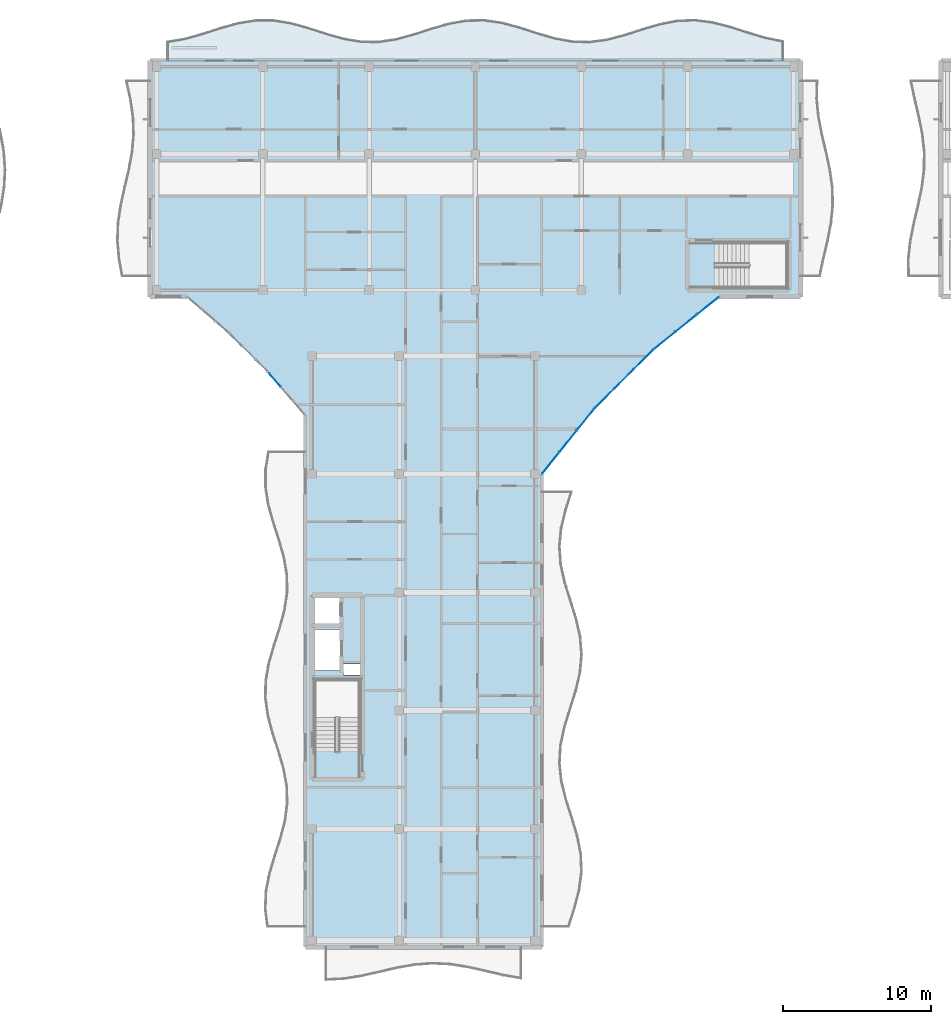
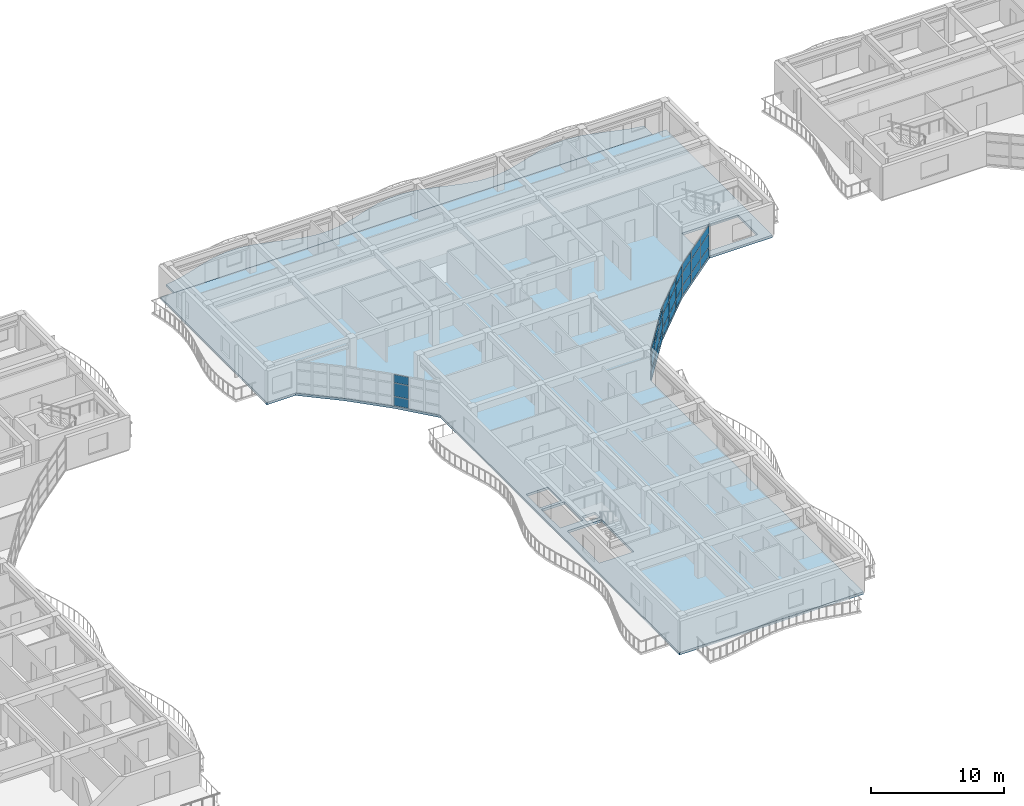
# One storey, part 27 of 71: 30 plates, 2 slabs, 4 elements without a shape of their own.
"""IFC4 building model written with IfcOpenShell, lengths in metres."""

from ifc_helpers import new_model, si_unit, direction, frame, origin, origin_2d, place, context, subcontext, project, spatial, polyline, rectangle, outline, extrude, material, layer, layer_set, type_object, element, aggregate, save


model = new_model("IFC4")

# Units and contexts
model_context = context("Model", 3, precision=1e-05, world=origin(), true_north=direction((0.0, 1.0)))
body_context = subcontext(model_context, "Body", "Model", "MODEL_VIEW")
ifc_project = project(units=[si_unit("LENGTHUNIT", "METRE"), si_unit("AREAUNIT", "SQUARE_METRE"), si_unit("VOLUMEUNIT", "CUBIC_METRE"), si_unit("PLANEANGLEUNIT", "RADIAN"), si_unit("MASSUNIT", "GRAM", prefix="KILO")], contexts=[model_context])

# Site, building, storey
site_placement = place(None, origin())
site = spatial("IfcSite", under=ifc_project, at=site_placement, CompositionType="ELEMENT")
building_placement = place(site_placement, origin())
building = spatial("IfcBuilding", under=site, at=building_placement, Name="Keldmere Railside Commons", CompositionType="ELEMENT")
storey_placement = place(building_placement, frame((0.0, 0.0, 20.159912109375)))
storey = spatial("IfcBuildingStorey", under=building, at=storey_placement, Name="L06", CompositionType="ELEMENT", Elevation=20.159912109375)

# Curtain wall, plates
ifc_material_1 = material(Name="Thermally Broken Aluminium", Category="aluminium")
ifc_layer_1 = layer(ifc_material_1, 0.159912109375, Name="Court Chord Wintergarden CW 4800x2850")
ifc_layer_set_1 = layer_set([ifc_layer_1], Name="Thermally Broken Aluminium")
curtain_wall_type_1 = type_object("IfcCurtainWallType", Name="Court Chord Wintergarden CW 4800x2850", PredefinedType="NOTDEFINED", material=ifc_layer_set_1)
curtain_wall_1_placement = place(storey_placement, origin())
curtain_wall_1 = element("IfcCurtainWall", 1, at=curtain_wall_1_placement, inside=storey, type_object=curtain_wall_type_1, Name="CW-12 CW-L06-121", PredefinedType="NOTDEFINED")
ifc_material_2 = material(Name="Low-E Insulated Double Glazing", Category="glass")
ifc_layer_2 = layer(ifc_material_2, 0.033935546875, Name="Acoustic Laminated Vision Panel 34")
ifc_layer_set_2 = layer_set([ifc_layer_2], Name="Low-E Insulated Double Glazing")
plate_type_1 = type_object("IfcPlateType", Name="Acoustic Laminated Vision Panel 34", PredefinedType="CURTAIN_PANEL", material=ifc_layer_set_2)
plate_1_placement = place(storey_placement, frame((122.951416015625, 91.678955078125, 0.06494140625), z_axis=(0.0, 0.0, 1.0), x_axis=(-0.625768080915, -0.780009172323, 0.0)))
plate_1 = element("IfcPlate", 2, at=plate_1_placement, type_object=plate_type_1, Name="CW-12 panel 1.1", PredefinedType="CURTAIN_PANEL", context=body_context, shape_type="SweptSolid", body=[
    extrude(rectangle(XDim=1.795654296875, YDim=0.033935546875, at=origin_2d()), origin(), (0.0, 0.0, 1.0), 0.802490234375),
])
plate_2_placement = place(storey_placement, frame((122.951416015625, 91.678955078125, 0.9326171875), z_axis=(0.0, 0.0, 1.0), x_axis=(-0.625768080915, -0.780009172323, 0.0)))
plate_2 = element("IfcPlate", 3, at=plate_2_placement, type_object=plate_type_1, Name="CW-12 panel 1.2", PredefinedType="CURTAIN_PANEL", context=body_context, shape_type="SweptSolid", body=[
    extrude(rectangle(XDim=1.795654296875, YDim=0.033935546875, at=origin_2d()), origin(), (0.0, 0.0, 1.0), 1.18505859375),
])
plate_3_placement = place(storey_placement, frame((122.951416015625, 91.678955078125, 2.1826171875), z_axis=(0.0, 0.0, 1.0), x_axis=(-0.625768080915, -0.780009172323, 0.0)))
plate_3 = element("IfcPlate", 4, at=plate_3_placement, type_object=plate_type_1, Name="CW-12 panel 1.3", PredefinedType="CURTAIN_PANEL", context=body_context, shape_type="SweptSolid", body=[
    extrude(rectangle(XDim=1.795654296875, YDim=0.033935546875, at=origin_2d()), origin(), (0.0, 0.0, 1.0), 0.732421875),
])
plate_4_placement = place(storey_placement, frame((121.777099609375, 90.215087890625, 0.06494140625), z_axis=(0.0, 0.0, 1.0), x_axis=(-0.625768080915, -0.780009172323, 0.0)))
plate_4 = element("IfcPlate", 5, at=plate_4_placement, type_object=plate_type_1, Name="CW-12 panel 2.1", PredefinedType="CURTAIN_PANEL", context=body_context, shape_type="SweptSolid", body=[
    extrude(rectangle(XDim=1.828125, YDim=0.033935546875, at=origin_2d()), origin(), (0.0, 0.0, 1.0), 0.802490234375),
])
plate_5_placement = place(storey_placement, frame((121.777099609375, 90.215087890625, 0.9326171875), z_axis=(0.0, 0.0, 1.0), x_axis=(-0.625768080915, -0.780009172323, 0.0)))
plate_5 = element("IfcPlate", 6, at=plate_5_placement, type_object=plate_type_1, Name="CW-12 panel 2.2", PredefinedType="CURTAIN_PANEL", context=body_context, shape_type="SweptSolid", body=[
    extrude(rectangle(XDim=1.828125, YDim=0.033935546875, at=origin_2d()), origin(), (0.0, 0.0, 1.0), 1.18505859375),
])
plate_6_placement = place(storey_placement, frame((121.777099609375, 90.215087890625, 2.1826171875), z_axis=(0.0, 0.0, 1.0), x_axis=(-0.625768080915, -0.780009172323, 0.0)))
plate_6 = element("IfcPlate", 7, at=plate_6_placement, type_object=plate_type_1, Name="CW-12 panel 2.3", PredefinedType="CURTAIN_PANEL", context=body_context, shape_type="SweptSolid", body=[
    extrude(rectangle(XDim=1.828125, YDim=0.033935546875, at=origin_2d()), origin(), (0.0, 0.0, 1.0), 0.732421875),
])
plate_7_placement = place(storey_placement, frame((120.6025390625, 88.7509765625, 0.06494140625), z_axis=(0.0, 0.0, 1.0), x_axis=(-0.625768080915, -0.780009172323, 0.0)))
plate_7 = element("IfcPlate", 8, at=plate_7_placement, type_object=plate_type_1, Name="CW-12 panel 3.1", PredefinedType="CURTAIN_PANEL", context=body_context, shape_type="SweptSolid", body=[
    extrude(rectangle(XDim=1.795654296875, YDim=0.033935546875, at=origin_2d()), origin(), (0.0, 0.0, 1.0), 0.802490234375),
])
plate_8_placement = place(storey_placement, frame((120.6025390625, 88.7509765625, 0.9326171875), z_axis=(0.0, 0.0, 1.0), x_axis=(-0.625768080915, -0.780009172323, 0.0)))
plate_8 = element("IfcPlate", 9, at=plate_8_placement, type_object=plate_type_1, Name="CW-12 panel 3.2", PredefinedType="CURTAIN_PANEL", context=body_context, shape_type="SweptSolid", body=[
    extrude(rectangle(XDim=1.795654296875, YDim=0.033935546875, at=origin_2d()), origin(), (0.0, 0.0, 1.0), 1.18505859375),
])
plate_9_placement = place(storey_placement, frame((120.6025390625, 88.7509765625, 2.1826171875), z_axis=(0.0, 0.0, 1.0), x_axis=(-0.625768080915, -0.780009172323, 0.0)))
plate_9 = element("IfcPlate", 10, at=plate_9_placement, type_object=plate_type_1, Name="CW-12 panel 3.3", PredefinedType="CURTAIN_PANEL", context=body_context, shape_type="SweptSolid", body=[
    extrude(rectangle(XDim=1.795654296875, YDim=0.033935546875, at=origin_2d()), origin(), (0.0, 0.0, 1.0), 0.732421875),
])
aggregate(curtain_wall_1, [plate_1, plate_2, plate_3, plate_4, plate_5, plate_6, plate_7, plate_8, plate_9])

ifc_layer_3 = layer(ifc_material_1, 0.159912109375, Name="Court Chord Wintergarden CW 5400x2850")
ifc_layer_set_3 = layer_set([ifc_layer_3], Name="Thermally Broken Aluminium")
curtain_wall_type_2 = type_object("IfcCurtainWallType", Name="Court Chord Wintergarden CW 5400x2850", PredefinedType="NOTDEFINED", material=ifc_layer_set_3)
curtain_wall_2_placement = place(storey_placement, origin())
curtain_wall_2 = element("IfcCurtainWall", 11, at=curtain_wall_2_placement, inside=storey, type_object=curtain_wall_type_2, Name="CW-13 CW-L06-122", PredefinedType="NOTDEFINED")
ifc_layer_4 = layer(ifc_material_2, 0.031982421875, Name="Clerestory Solar-Control Vision Panel 32")
ifc_layer_set_4 = layer_set([ifc_layer_4], Name="Low-E Insulated Double Glazing")
plate_type_2 = type_object("IfcPlateType", Name="Clerestory Solar-Control Vision Panel 32", PredefinedType="CURTAIN_PANEL", material=ifc_layer_set_4)
plate_10_placement = place(storey_placement, frame((126.88916015625, 95.76513671875, 0.06494140625), z_axis=(0.0, 0.0, 1.0), x_axis=(-0.707106781187, -0.707106781187, 0.0)))
plate_10 = element("IfcPlate", 12, at=plate_10_placement, type_object=plate_type_2, Name="CW-13 panel 1.1", PredefinedType="CURTAIN_PANEL", context=body_context, shape_type="SweptSolid", body=[
    extrude(rectangle(XDim=1.795654296875, YDim=0.031982421875, at=origin_2d()), origin(), (0.0, 0.0, 1.0), 0.802490234375),
])
plate_11_placement = place(storey_placement, frame((126.88916015625, 95.76513671875, 0.9326171875), z_axis=(0.0, 0.0, 1.0), x_axis=(-0.707106781187, -0.707106781187, 0.0)))
plate_11 = element("IfcPlate", 13, at=plate_11_placement, type_object=plate_type_2, Name="CW-13 panel 1.2", PredefinedType="CURTAIN_PANEL", context=body_context, shape_type="SweptSolid", body=[
    extrude(rectangle(XDim=1.795654296875, YDim=0.031982421875, at=origin_2d()), origin(), (0.0, 0.0, 1.0), 1.18505859375),
])
plate_12_placement = place(storey_placement, frame((126.88916015625, 95.76513671875, 2.1826171875), z_axis=(0.0, 0.0, 1.0), x_axis=(-0.707106781187, -0.707106781187, 0.0)))
plate_12 = element("IfcPlate", 14, at=plate_12_placement, type_object=plate_type_2, Name="CW-13 panel 1.3", PredefinedType="CURTAIN_PANEL", context=body_context, shape_type="SweptSolid", body=[
    extrude(rectangle(XDim=1.795654296875, YDim=0.031982421875, at=origin_2d()), origin(), (0.0, 0.0, 1.0), 0.732421875),
])
plate_13_placement = place(storey_placement, frame((125.56201171875, 94.43798828125, 0.06494140625), z_axis=(0.0, 0.0, 1.0), x_axis=(-0.707106781187, -0.707106781187, 0.0)))
plate_13 = element("IfcPlate", 15, at=plate_13_placement, type_object=plate_type_2, Name="CW-13 panel 2.1", PredefinedType="CURTAIN_PANEL", context=body_context, shape_type="SweptSolid", body=[
    extrude(rectangle(XDim=1.828125, YDim=0.031982421875, at=origin_2d()), origin(), (0.0, 0.0, 1.0), 0.802490234375),
])
plate_14_placement = place(storey_placement, frame((125.56201171875, 94.43798828125, 0.9326171875), z_axis=(0.0, 0.0, 1.0), x_axis=(-0.707106781187, -0.707106781187, 0.0)))
plate_14 = element("IfcPlate", 16, at=plate_14_placement, type_object=plate_type_2, Name="CW-13 panel 2.2", PredefinedType="CURTAIN_PANEL", context=body_context, shape_type="SweptSolid", body=[
    extrude(rectangle(XDim=1.828125, YDim=0.031982421875, at=origin_2d()), origin(), (0.0, 0.0, 1.0), 1.18505859375),
])
plate_15_placement = place(storey_placement, frame((125.56201171875, 94.43798828125, 2.1826171875), z_axis=(0.0, 0.0, 1.0), x_axis=(-0.707106781187, -0.707106781187, 0.0)))
plate_15 = element("IfcPlate", 17, at=plate_15_placement, type_object=plate_type_2, Name="CW-13 panel 2.3", PredefinedType="CURTAIN_PANEL", context=body_context, shape_type="SweptSolid", body=[
    extrude(rectangle(XDim=1.828125, YDim=0.031982421875, at=origin_2d()), origin(), (0.0, 0.0, 1.0), 0.732421875),
])
plate_16_placement = place(storey_placement, frame((124.23486328125, 93.11083984375, 0.06494140625), z_axis=(0.0, 0.0, 1.0), x_axis=(-0.707106781187, -0.707106781187, 0.0)))
plate_16 = element("IfcPlate", 18, at=plate_16_placement, type_object=plate_type_2, Name="CW-13 panel 3.1", PredefinedType="CURTAIN_PANEL", context=body_context, shape_type="SweptSolid", body=[
    extrude(rectangle(XDim=1.795654296875, YDim=0.031982421875, at=origin_2d()), origin(), (0.0, 0.0, 1.0), 0.802490234375),
])
plate_17_placement = place(storey_placement, frame((124.23486328125, 93.11083984375, 0.9326171875), z_axis=(0.0, 0.0, 1.0), x_axis=(-0.707106781187, -0.707106781187, 0.0)))
plate_17 = element("IfcPlate", 19, at=plate_17_placement, type_object=plate_type_2, Name="CW-13 panel 3.2", PredefinedType="CURTAIN_PANEL", context=body_context, shape_type="SweptSolid", body=[
    extrude(rectangle(XDim=1.795654296875, YDim=0.031982421875, at=origin_2d()), origin(), (0.0, 0.0, 1.0), 1.18505859375),
])
plate_18_placement = place(storey_placement, frame((124.23486328125, 93.11083984375, 2.1826171875), z_axis=(0.0, 0.0, 1.0), x_axis=(-0.707106781187, -0.707106781187, 0.0)))
plate_18 = element("IfcPlate", 20, at=plate_18_placement, type_object=plate_type_2, Name="CW-13 panel 3.3", PredefinedType="CURTAIN_PANEL", context=body_context, shape_type="SweptSolid", body=[
    extrude(rectangle(XDim=1.795654296875, YDim=0.031982421875, at=origin_2d()), origin(), (0.0, 0.0, 1.0), 0.732421875),
])
aggregate(curtain_wall_2, [plate_10, plate_11, plate_12, plate_13, plate_14, plate_15, plate_16, plate_17, plate_18])

curtain_wall_3_placement = place(storey_placement, origin())
curtain_wall_3 = element("IfcCurtainWall", 21, at=curtain_wall_3_placement, inside=storey, type_object=curtain_wall_type_1, Name="CW-12 CW-L06-123", PredefinedType="NOTDEFINED")
ifc_layer_5 = layer(ifc_material_2, 0.028076171875, Name="Low-E Vision Glazing Panel 28")
ifc_layer_set_5 = layer_set([ifc_layer_5], Name="Low-E Insulated Double Glazing")
plate_type_3 = type_object("IfcPlateType", Name="Low-E Vision Glazing Panel 28", PredefinedType="CURTAIN_PANEL", material=ifc_layer_set_5)
plate_19_placement = place(storey_placement, frame((131.2490234375, 99.3974609375, 0.06494140625), z_axis=(0.0, 0.0, 1.0), x_axis=(-0.780009172323, -0.625768080915, 0.0)))
plate_19 = element("IfcPlate", 22, at=plate_19_placement, type_object=plate_type_3, Name="CW-12 panel 1.1", PredefinedType="CURTAIN_PANEL", context=body_context, shape_type="SweptSolid", body=[
    extrude(rectangle(XDim=1.795654296875, YDim=0.028076171875, at=origin_2d()), origin(), (0.0, 0.0, 1.0), 0.802490234375),
])
plate_20_placement = place(storey_placement, frame((131.2490234375, 99.3974609375, 0.9326171875), z_axis=(0.0, 0.0, 1.0), x_axis=(-0.780009172323, -0.625768080915, 0.0)))
plate_20 = element("IfcPlate", 23, at=plate_20_placement, type_object=plate_type_3, Name="CW-12 panel 1.2", PredefinedType="CURTAIN_PANEL", context=body_context, shape_type="SweptSolid", body=[
    extrude(rectangle(XDim=1.795654296875, YDim=0.028076171875, at=origin_2d()), origin(), (0.0, 0.0, 1.0), 1.18505859375),
])
plate_21_placement = place(storey_placement, frame((131.2490234375, 99.3974609375, 2.1826171875), z_axis=(0.0, 0.0, 1.0), x_axis=(-0.780009172323, -0.625768080915, 0.0)))
plate_21 = element("IfcPlate", 24, at=plate_21_placement, type_object=plate_type_3, Name="CW-12 panel 1.3", PredefinedType="CURTAIN_PANEL", context=body_context, shape_type="SweptSolid", body=[
    extrude(rectangle(XDim=1.795654296875, YDim=0.028076171875, at=origin_2d()), origin(), (0.0, 0.0, 1.0), 0.732421875),
])
plate_22_placement = place(storey_placement, frame((129.784912109375, 98.222900390625, 0.06494140625), z_axis=(0.0, 0.0, 1.0), x_axis=(-0.780009172323, -0.625768080915, 0.0)))
plate_22 = element("IfcPlate", 25, at=plate_22_placement, type_object=plate_type_3, Name="CW-12 panel 2.1", PredefinedType="CURTAIN_PANEL", context=body_context, shape_type="SweptSolid", body=[
    extrude(rectangle(XDim=1.828125, YDim=0.028076171875, at=origin_2d()), origin(), (0.0, 0.0, 1.0), 0.802490234375),
])
plate_23_placement = place(storey_placement, frame((129.784912109375, 98.222900390625, 0.9326171875), z_axis=(0.0, 0.0, 1.0), x_axis=(-0.780009172323, -0.625768080915, 0.0)))
plate_23 = element("IfcPlate", 26, at=plate_23_placement, type_object=plate_type_3, Name="CW-12 panel 2.2", PredefinedType="CURTAIN_PANEL", context=body_context, shape_type="SweptSolid", body=[
    extrude(rectangle(XDim=1.828125, YDim=0.028076171875, at=origin_2d()), origin(), (0.0, 0.0, 1.0), 1.18505859375),
])
plate_24_placement = place(storey_placement, frame((129.784912109375, 98.222900390625, 2.1826171875), z_axis=(0.0, 0.0, 1.0), x_axis=(-0.780009172323, -0.625768080915, 0.0)))
plate_24 = element("IfcPlate", 27, at=plate_24_placement, type_object=plate_type_3, Name="CW-12 panel 2.3", PredefinedType="CURTAIN_PANEL", context=body_context, shape_type="SweptSolid", body=[
    extrude(rectangle(XDim=1.828125, YDim=0.028076171875, at=origin_2d()), origin(), (0.0, 0.0, 1.0), 0.732421875),
])
plate_25_placement = place(storey_placement, frame((128.321044921875, 97.048583984375, 0.06494140625), z_axis=(0.0, 0.0, 1.0), x_axis=(-0.780009172323, -0.625768080915, 0.0)))
plate_25 = element("IfcPlate", 28, at=plate_25_placement, type_object=plate_type_3, Name="CW-12 panel 3.1", PredefinedType="CURTAIN_PANEL", context=body_context, shape_type="SweptSolid", body=[
    extrude(rectangle(XDim=1.795654296875, YDim=0.028076171875, at=origin_2d()), origin(), (0.0, 0.0, 1.0), 0.802490234375),
])
plate_26_placement = place(storey_placement, frame((128.321044921875, 97.048583984375, 0.9326171875), z_axis=(0.0, 0.0, 1.0), x_axis=(-0.780009172323, -0.625768080915, 0.0)))
plate_26 = element("IfcPlate", 29, at=plate_26_placement, type_object=plate_type_3, Name="CW-12 panel 3.2", PredefinedType="CURTAIN_PANEL", context=body_context, shape_type="SweptSolid", body=[
    extrude(rectangle(XDim=1.795654296875, YDim=0.028076171875, at=origin_2d()), origin(), (0.0, 0.0, 1.0), 1.18505859375),
])
plate_27_placement = place(storey_placement, frame((128.321044921875, 97.048583984375, 2.1826171875), z_axis=(0.0, 0.0, 1.0), x_axis=(-0.780009172323, -0.625768080915, 0.0)))
plate_27 = element("IfcPlate", 30, at=plate_27_placement, type_object=plate_type_3, Name="CW-12 panel 3.3", PredefinedType="CURTAIN_PANEL", context=body_context, shape_type="SweptSolid", body=[
    extrude(rectangle(XDim=1.795654296875, YDim=0.028076171875, at=origin_2d()), origin(), (0.0, 0.0, 1.0), 0.732421875),
])
aggregate(curtain_wall_3, [plate_19, plate_20, plate_21, plate_22, plate_23, plate_24, plate_25, plate_26, plate_27])

curtain_wall_4_placement = place(storey_placement, origin())
curtain_wall_4 = element("IfcCurtainWall", 31, at=curtain_wall_4_placement, inside=storey, type_object=curtain_wall_type_1, Name="CW-12 CW-L06-126", PredefinedType="NOTDEFINED")
plate_28_placement = place(storey_placement, frame((101.952392578125, 94.369384765625, 0.06494140625), z_axis=(0.0, 0.0, 1.0), x_axis=(-0.653881741053, 0.756596767584, 0.0)))
plate_28 = element("IfcPlate", 32, at=plate_28_placement, type_object=plate_type_3, Name="CW-12 panel 3.1", PredefinedType="CURTAIN_PANEL", context=body_context, shape_type="SweptSolid", body=[
    extrude(rectangle(XDim=1.16162109375, YDim=0.028076171875, at=origin_2d()), origin(), (0.0, 0.0, 1.0), 0.802490234375),
])
plate_29_placement = place(storey_placement, frame((101.952392578125, 94.369384765625, 0.9326171875), z_axis=(0.0, 0.0, 1.0), x_axis=(-0.653881741053, 0.756596767584, 0.0)))
plate_29 = element("IfcPlate", 33, at=plate_29_placement, type_object=plate_type_3, Name="CW-12 panel 3.2", PredefinedType="CURTAIN_PANEL", context=body_context, shape_type="SweptSolid", body=[
    extrude(rectangle(XDim=1.16162109375, YDim=0.028076171875, at=origin_2d()), origin(), (0.0, 0.0, 1.0), 1.18505859375),
])
plate_30_placement = place(storey_placement, frame((101.952392578125, 94.369384765625, 2.1826171875), z_axis=(0.0, 0.0, 1.0), x_axis=(-0.653881741053, 0.756596767584, 0.0)))
plate_30 = element("IfcPlate", 34, at=plate_30_placement, type_object=plate_type_3, Name="CW-12 panel 3.3", PredefinedType="CURTAIN_PANEL", context=body_context, shape_type="SweptSolid", body=[
    extrude(rectangle(XDim=1.16162109375, YDim=0.028076171875, at=origin_2d()), origin(), (0.0, 0.0, 1.0), 0.732421875),
])
aggregate(curtain_wall_4, [plate_28, plate_29, plate_30])

# Slabs
ifc_material_3 = material(Name="Concrete H-30 (C30/37)", Category="concrete")
ifc_layer_6 = layer(ifc_material_3, 0.219970703125, Name="Residential Flat Slab 220")
ifc_layer_set_6 = layer_set([ifc_layer_6], Name="Concrete H-30 (C30/37)")
slab_type_1 = type_object("IfcSlabType", Name="Residential Flat Slab 220", PredefinedType="FLOOR", material=ifc_layer_set_6)
slab_1_placement = place(storey_placement, frame((0.0, 0.0, -0.219970703125)))
element("IfcSlab", 35, at=slab_1_placement, inside=storey, type_object=slab_type_1, Name="FS-2 BLKB-L06-041", PredefinedType="FLOOR", context=body_context, shape_type="SweptSolid", body=[
    extrude(outline(polyline([(104.0, 56.0), (120.0, 56.0), (120.0, 88.0), (123.553955078125, 92.429931640625), (127.570068359375, 96.446044921875), (132.0, 100.0), (137.5, 100.0), (137.5, 116.0), (93.5, 116.0), (93.5, 100.0), (96.0, 100.0), (98.85791015625, 97.530029296875), (101.530029296875, 94.85791015625), (104.0, 92.0), (104.0, 56.0)]), holes=[polyline([(107.675048828125, 69.22509765625), (104.675048828125, 69.22509765625), (104.675048828125, 74.074951171875), (107.675048828125, 74.074951171875), (107.675048828125, 69.22509765625)]), polyline([(107.699951171875, 74.419921875), (106.60009765625, 74.419921875), (106.60009765625, 75.159912109375), (107.699951171875, 75.159912109375), (107.699951171875, 74.419921875)]), polyline([(104.39990234375, 74.699951171875), (104.39990234375, 77.5), (106.39990234375, 77.5), (106.39990234375, 74.699951171875), (104.39990234375, 74.699951171875)]), polyline([(106.300048828125, 77.75), (104.39990234375, 77.75), (104.39990234375, 79.800048828125), (106.300048828125, 79.800048828125), (106.300048828125, 77.75)]), polyline([(131.72509765625, 103.625), (136.574951171875, 103.625), (136.574951171875, 100.625), (131.72509765625, 100.625), (131.72509765625, 103.625)])]), origin(), (0.0, 0.0, 1.0), 0.219970703125),
])
ifc_material_4 = material(Name="White Precast Concrete H-35 (C35/45)", Category="concrete")
ifc_layer_7 = layer(ifc_material_4, 0.179931640625, Name="Sinusoidal Wave Balcony Slab 180")
ifc_layer_set_7 = layer_set([ifc_layer_7], Name="White Precast Concrete H-35 (C35/45)")
slab_type_2 = type_object("IfcSlabType", Name="Sinusoidal Wave Balcony Slab 180", PredefinedType="FLOOR", material=ifc_layer_set_7)
slab_2_placement = place(storey_placement, frame((0.0, 0.0, -0.179931640625)))
element("IfcSlab", 36, at=slab_2_placement, inside=storey, type_object=slab_type_2, Name="WB-1 B L06 N Wave Balcony", PredefinedType="FLOOR", context=body_context, shape_type="SweptSolid", body=[
    extrude(outline(polyline([(94.699951171875, 116.0), (95.888671875, 116.0), (97.0771484375, 116.0), (98.265625, 116.0), (99.454345703125, 116.0), (100.642822265625, 116.0), (101.831298828125, 116.0), (103.02001953125, 116.0), (104.20849609375, 116.0), (105.397216796875, 116.0), (106.585693359375, 116.0), (107.7744140625, 116.0), (108.962890625, 116.0), (110.1513671875, 116.0), (111.340087890625, 116.0), (112.528564453125, 116.0), (113.717041015625, 116.0), (114.90576171875, 116.0), (116.09423828125, 116.0), (117.282958984375, 116.0), (118.471435546875, 116.0), (119.659912109375, 116.0), (120.8486328125, 116.0), (122.037109375, 116.0), (123.2255859375, 116.0), (124.414306640625, 116.0), (125.602783203125, 116.0), (126.79150390625, 116.0), (127.97998046875, 116.0), (129.168701171875, 116.0), (130.357177734375, 116.0), (131.545654296875, 116.0), (132.734375, 116.0), (133.9228515625, 116.0), (135.111328125, 116.0), (136.300048828125, 116.0), (136.300048828125, 117.26220703125), (135.111328125, 117.501220703125), (133.9228515625, 117.85791015625), (132.734375, 118.239013671875), (131.545654296875, 118.5439453125), (130.357177734375, 118.69287109375), (129.168701171875, 118.646240234375), (127.97998046875, 118.416748046875), (126.79150390625, 118.064208984375), (125.602783203125, 117.681884765625), (124.414306640625, 117.369873046875), (123.2255859375, 117.21044921875), (122.037109375, 117.24560546875), (120.8486328125, 117.466064453125), (119.659912109375, 117.813720703125), (118.471435546875, 118.197021484375), (117.282958984375, 118.515625), (116.09423828125, 118.685302734375), (114.90576171875, 118.66162109375), (113.717041015625, 118.450927734375), (112.528564453125, 118.1083984375), (111.340087890625, 117.72412109375), (110.1513671875, 117.3994140625), (108.962890625, 117.219482421875), (107.7744140625, 117.2314453125), (106.585693359375, 117.4326171875), (105.397216796875, 117.769775390625), (104.20849609375, 118.154296875), (103.02001953125, 118.485107421875), (101.831298828125, 118.67529296875), (100.642822265625, 118.674560546875), (99.454345703125, 118.4833984375), (98.265625, 118.152099609375), (97.0771484375, 117.767333984375), (95.888671875, 117.430908203125), (94.699951171875, 117.230712890625), (94.699951171875, 116.0)])), origin(), (0.0, 0.0, 1.0), 0.179931640625),
])

save(model, "model.ifc")
